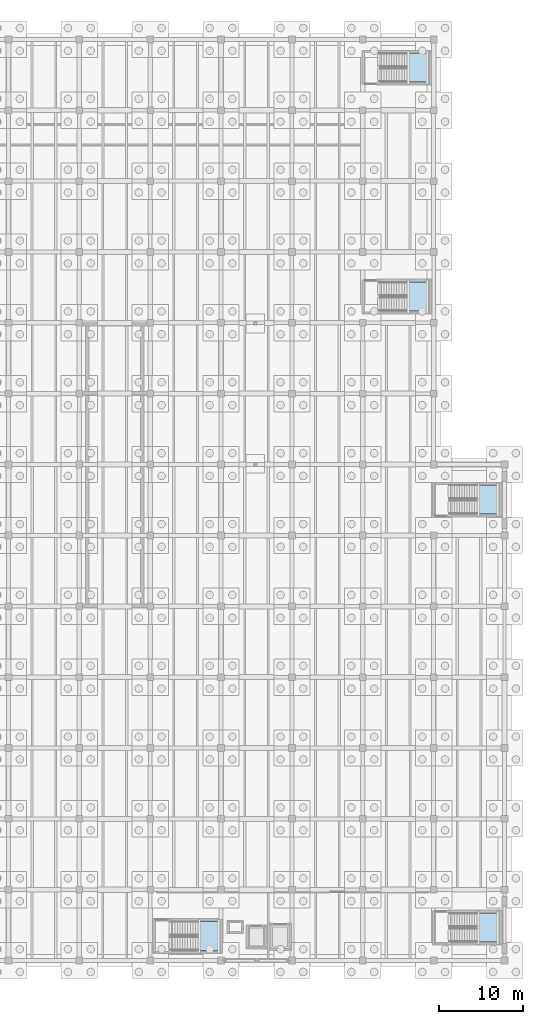
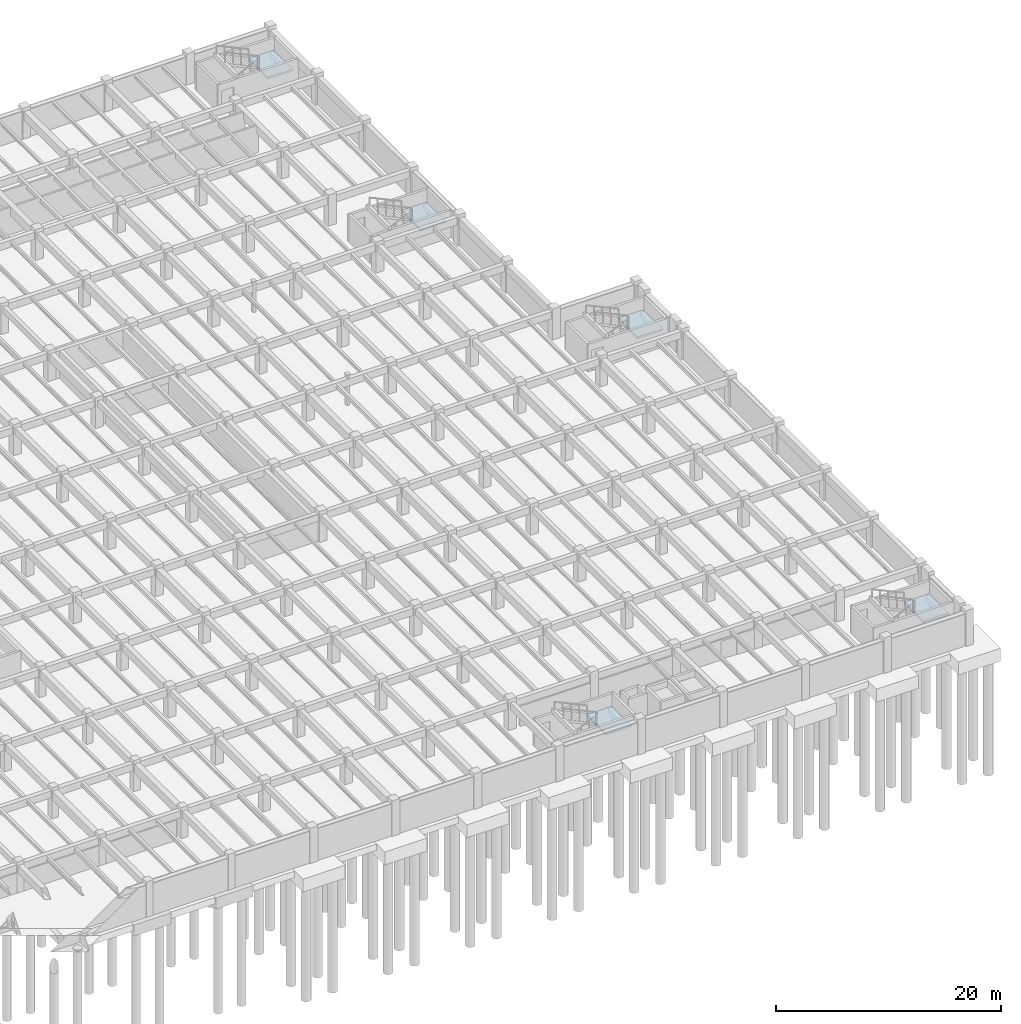
# One storey, part 34 of 70: 5 slabs, 5 elements without a shape of their own.
"""IFC4 building model written with IfcOpenShell, lengths in metres."""

from ifc_helpers import new_model, si_unit, direction, frame, origin, place, context, subcontext, project, spatial, polyline, outline, extrude, material, layer, layer_set, type_object, element, aggregate, save


model = new_model("IFC4")

# Units and contexts
model_context = context("Model", 3, precision=1e-05, world=origin(), true_north=direction((0.0, 1.0)))
body_context = subcontext(model_context, "Body", "Model", "MODEL_VIEW")
ifc_project = project(units=[si_unit("LENGTHUNIT", "METRE"), si_unit("AREAUNIT", "SQUARE_METRE"), si_unit("VOLUMEUNIT", "CUBIC_METRE"), si_unit("PLANEANGLEUNIT", "RADIAN"), si_unit("MASSUNIT", "GRAM", prefix="KILO")], contexts=[model_context])

# Site, building, storey
site_placement = place(None, origin())
site = spatial("IfcSite", under=ifc_project, at=site_placement, CompositionType="ELEMENT")
building_placement = place(site_placement, origin())
building = spatial("IfcBuilding", under=site, at=building_placement, Name="Cumbredor Promenade Congress Hotel", CompositionType="ELEMENT")
storey_placement = place(building_placement, frame((0.0, 0.0, -7.56005859375)))
storey = spatial("IfcBuildingStorey", under=building, at=storey_placement, Name="B02", CompositionType="ELEMENT", Elevation=-7.56005859375)

# Stair, slab
ifc_material = material(Name="Concrete C40/50", Category="concrete")
stair_type = type_object("IfcStairType", Name="Protected Dog-Leg Exit Stair ST-T3 1650mm", PredefinedType="HALF_TURN_STAIR", material=ifc_material)
stair_1_placement = place(storey_placement, origin())
stair_1 = element("IfcStair", 1, at=stair_1_placement, inside=storey, type_object=stair_type, Name="B02 Protected Exit Stair ST-08", PredefinedType="HALF_TURN_STAIR")
ifc_layer = layer(ifc_material, 0.199951171875, Name="Concrete C40/50", Category="concrete")
ifc_layer_set = layer_set([ifc_layer], Name="Concrete C40/50")
slab_type = type_object("IfcSlabType", Name="Concrete Stair Landing Slab 200mm", PredefinedType="LANDING", material=ifc_layer_set)
slab_1_placement = place(storey_placement, frame((0.0, 0.0, 1.47998046875)))
slab_1 = element("IfcSlab", 2, at=slab_1_placement, type_object=slab_type, Name="ST-08 landing 1", PredefinedType="LANDING", context=body_context, shape_type="SweptSolid", body=[
    extrude(outline(polyline([(148.449951171875, 9.60009765625), (151.050048828125, 9.60009765625), (151.050048828125, 13.050048828125), (148.449951171875, 13.050048828125), (148.449951171875, 9.60009765625)])), origin(), (0.0, 0.0, 1.0), 0.2001953125),
])
aggregate(stair_1, [slab_1])

stair_2_placement = place(storey_placement, origin())
stair_2 = element("IfcStair", 3, at=stair_2_placement, inside=storey, type_object=stair_type, Name="B02 Protected Exit Stair ST-09", PredefinedType="HALF_TURN_STAIR")
slab_2_placement = place(storey_placement, frame((0.0, 0.0, 1.47998046875)))
slab_2 = element("IfcSlab", 4, at=slab_2_placement, type_object=slab_type, Name="ST-09 landing 1", PredefinedType="LANDING", context=body_context, shape_type="SweptSolid", body=[
    extrude(outline(polyline([(181.550048828125, 10.60009765625), (184.14990234375, 10.60009765625), (184.14990234375, 14.050048828125), (181.550048828125, 14.050048828125), (181.550048828125, 10.60009765625)])), origin(), (0.0, 0.0, 1.0), 0.2001953125),
])
aggregate(stair_2, [slab_2])

stair_3_placement = place(storey_placement, origin())
stair_3 = element("IfcStair", 5, at=stair_3_placement, inside=storey, type_object=stair_type, Name="B02 Protected Exit Stair ST-10", PredefinedType="HALF_TURN_STAIR")
slab_3_placement = place(storey_placement, frame((0.0, 0.0, 1.47998046875)))
slab_3 = element("IfcSlab", 6, at=slab_3_placement, type_object=slab_type, Name="ST-10 landing 1", PredefinedType="LANDING", context=body_context, shape_type="SweptSolid", body=[
    extrude(outline(polyline([(181.550048828125, 61.35009765625), (184.14990234375, 61.35009765625), (184.14990234375, 64.800048828125), (181.550048828125, 64.800048828125), (181.550048828125, 61.35009765625)])), origin(), (0.0, 0.0, 1.0), 0.2001953125),
])
aggregate(stair_3, [slab_3])

stair_4_placement = place(storey_placement, origin())
stair_4 = element("IfcStair", 7, at=stair_4_placement, inside=storey, type_object=stair_type, Name="B02 Protected Exit Stair ST-14", PredefinedType="HALF_TURN_STAIR")
slab_4_placement = place(storey_placement, frame((0.0, 0.0, 1.47998046875)))
slab_4 = element("IfcSlab", 8, at=slab_4_placement, type_object=slab_type, Name="ST-14 landing 1", PredefinedType="LANDING", context=body_context, shape_type="SweptSolid", body=[
    extrude(outline(polyline([(173.219970703125, 85.39990234375), (175.820068359375, 85.39990234375), (175.820068359375, 88.85009765625), (173.219970703125, 88.85009765625), (173.219970703125, 85.39990234375)])), origin(), (0.0, 0.0, 1.0), 0.2001953125),
])
aggregate(stair_4, [slab_4])

stair_5_placement = place(storey_placement, origin())
stair_5 = element("IfcStair", 9, at=stair_5_placement, inside=storey, type_object=stair_type, Name="B02 Protected Exit Stair ST-16", PredefinedType="HALF_TURN_STAIR")
slab_5_placement = place(storey_placement, frame((0.0, 0.0, 1.47998046875)))
slab_5 = element("IfcSlab", 10, at=slab_5_placement, type_object=slab_type, Name="ST-16 landing 1", PredefinedType="LANDING", context=body_context, shape_type="SweptSolid", body=[
    extrude(outline(polyline([(173.219970703125, 112.550048828125), (175.820068359375, 112.550048828125), (175.820068359375, 116.0), (173.219970703125, 116.0), (173.219970703125, 112.550048828125)])), origin(), (0.0, 0.0, 1.0), 0.2001953125),
])
aggregate(stair_5, [slab_5])

save(model, "model.ifc")
